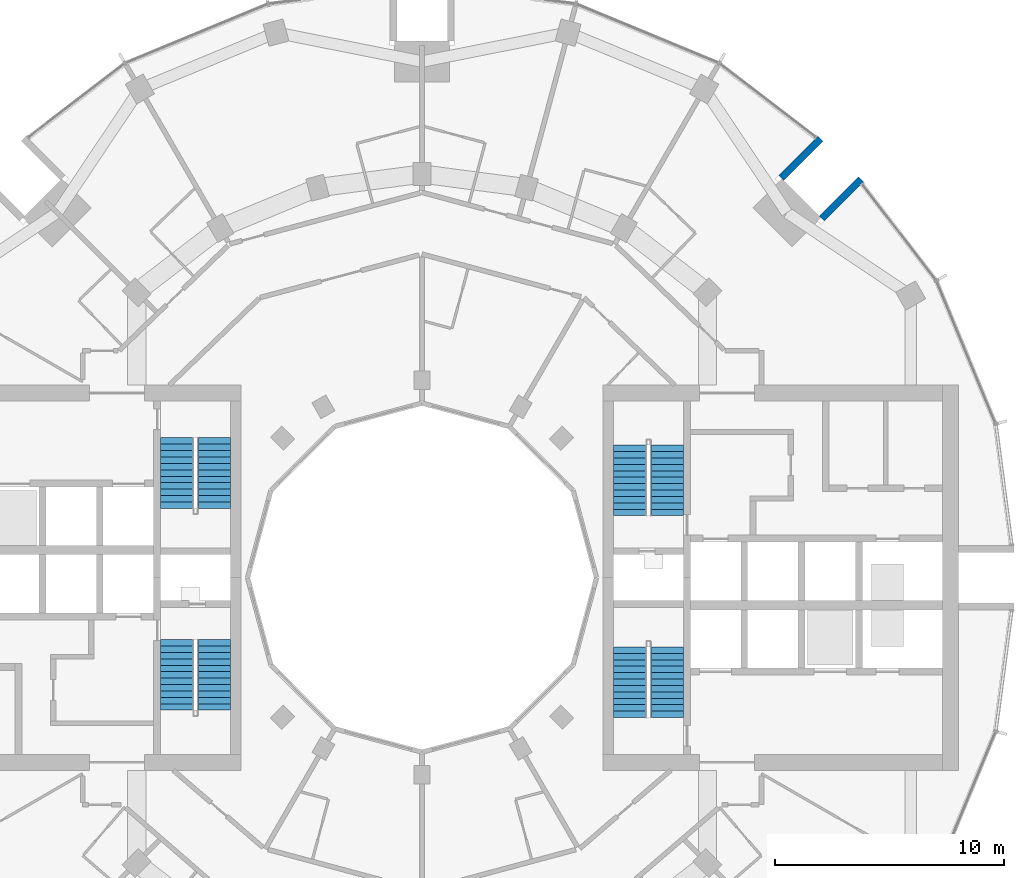
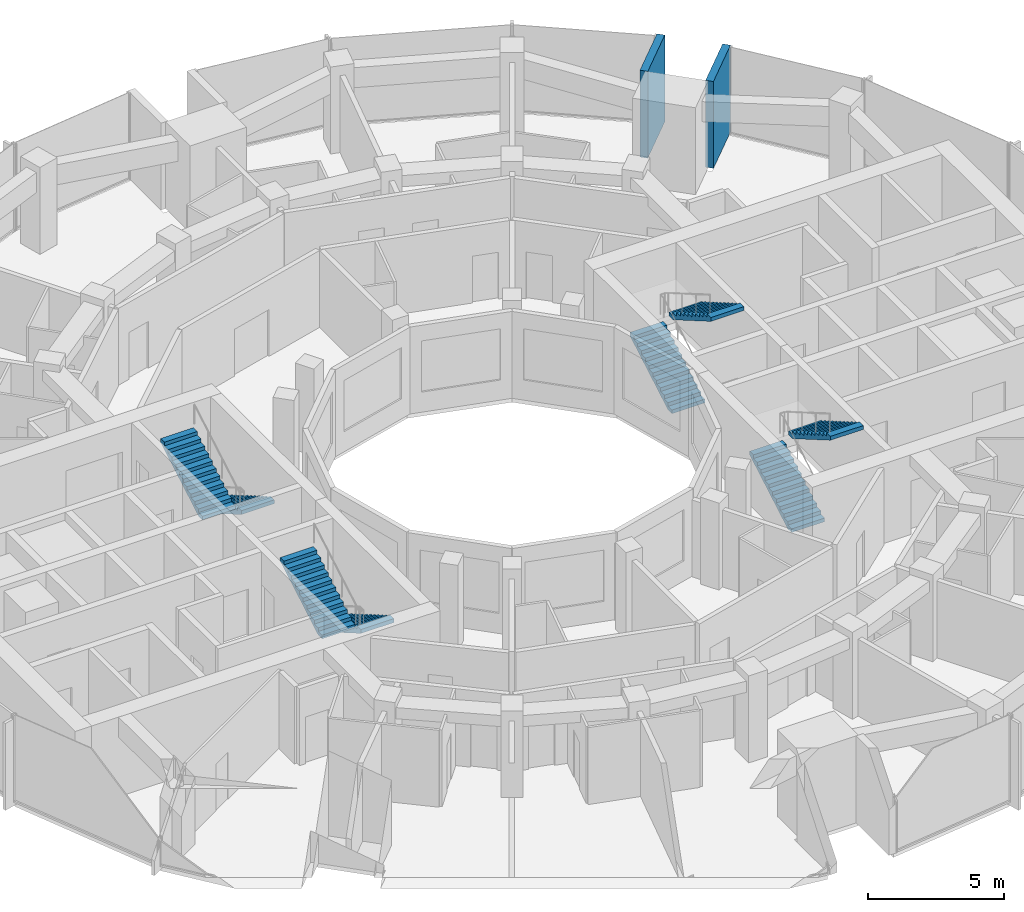
# One storey, part 13 of 15: 8 stair flights, 2 walls, 4 elements without a shape of their own.
"""IFC4 building model written with IfcOpenShell, lengths in metres."""

from ifc_helpers import new_model, si_unit, direction, frame, frame_2d, origin, place, context, subcontext, project, spatial, polyline, rectangle, outline, extrude, material, layer, layer_set, type_object, element, aggregate, save


model = new_model("IFC4")

# Units and contexts
model_context = context("Model", 3, precision=1e-05, world=origin(), true_north=direction((0.0, 1.0)))
body_context = subcontext(model_context, "Body", "Model", "MODEL_VIEW")
ifc_project = project(units=[si_unit("LENGTHUNIT", "METRE"), si_unit("AREAUNIT", "SQUARE_METRE"), si_unit("VOLUMEUNIT", "CUBIC_METRE"), si_unit("PLANEANGLEUNIT", "RADIAN"), si_unit("MASSUNIT", "GRAM", prefix="KILO")], contexts=[model_context])

# Site, building, storey
site_placement = place(None, origin())
site = spatial("IfcSite", under=ifc_project, at=site_placement, CompositionType="ELEMENT")
building_placement = place(site_placement, origin())
building = spatial("IfcBuilding", under=site, at=building_placement, Name="Torre Brocal", CompositionType="ELEMENT")
storey_placement = place(building_placement, frame((0.0, 0.0, 118.5)))
storey = spatial("IfcBuildingStorey", under=building, at=storey_placement, Name="L27", CompositionType="ELEMENT", Elevation=118.5)

# Walls
ifc_material_1 = material(Name="Concrete C70", Category="concrete")
ifc_layer_1 = layer(ifc_material_1, 0.300048828125)
ifc_layer_set_1 = layer_set([ifc_layer_1], Name="Concrete C70")
wall_type = type_object("IfcWallType", Name="NOTCH RETURN WALL 300 C70", PredefinedType="NOTDEFINED", material=ifc_layer_set_1)
for number, where, z_axis, x_axis, name in (
    (1, (97.43017578125, 90.662353515625, 0.0), (0.0, 0.0, 1.0), (0.707106781187, 0.707106781187, 0.0), "NOTCH RETURN WALL"),
    (2, (95.662353515625, 92.43017578125, 0.0), (0.0, 0.0, 1.0), (0.707106781187, 0.707106781187, 0.0), "NOTCH RETURN WALL"),
):
    element("IfcWall", number, at=place(storey_placement, frame(where, z_axis=z_axis, x_axis=x_axis)), inside=storey, type_object=wall_type, Name=name, PredefinedType="NOTDEFINED", context=body_context, shape_type="SweptSolid", body=[
        extrude(rectangle(XDim=2.415771484375, YDim=0.300048828125, at=frame_2d((1.2080078125, 0.0))), origin(), (0.0, 0.0, 1.0), 3.89990234375),
    ])

# Stair, stair flights
ifc_material_2 = material(Name="Concrete C50", Category="concrete")
stair_type = type_object("IfcStairType", Name="EXIT STAIR", PredefinedType="HALF_TURN_STAIR", material=ifc_material_2)
stair_1_placement = place(storey_placement, origin())
stair_1 = element("IfcStair", 3, at=stair_1_placement, inside=storey, type_object=stair_type, Name="EXIT STAIR ST1", PredefinedType="HALF_TURN_STAIR")
ifc_material_3 = material(Name="Concrete C50", Category="concrete")
ifc_layer_2 = layer(ifc_material_3, 0.14990234375)
ifc_layer_set_2 = layer_set([ifc_layer_2], Name="Concrete C50")
stair_flight_type = type_object("IfcStairFlightType", Name="STAIR FLIGHT", PredefinedType="STRAIGHT", material=ifc_layer_set_2)
stair_flight_1_placement = place(storey_placement, frame((89.050048828125, 77.699951171875, 0.0), z_axis=(0.0, 0.0, 1.0), x_axis=(0.0, 1.0, 0.0)))
stair_flight_1 = element("IfcStairFlight", 4, at=stair_flight_1_placement, type_object=stair_flight_type, Name="ST1 flight 1", NumberOfRisers=12, NumberOfTreads=11, PredefinedType="STRAIGHT", RiserHeight=0.1625, TreadLength=0.28, context=body_context, shape_type="SweptSolid", body=[
    extrude(outline(polyline([(0.0, 0.0), (0.0, 0.16259765625), (0.280029296875, 0.16259765625), (0.280029296875, 0.324951171875), (0.56005859375, 0.324951171875), (0.56005859375, 0.487548828125), (0.840087890625, 0.487548828125), (0.840087890625, 0.64990234375), (1.1201171875, 0.64990234375), (1.1201171875, 0.8125), (1.39990234375, 0.8125), (1.39990234375, 0.97509765625), (1.679931640625, 0.97509765625), (1.679931640625, 1.137451171875), (1.9599609375, 1.137451171875), (1.9599609375, 1.300048828125), (2.239990234375, 1.300048828125), (2.239990234375, 1.46240234375), (2.52001953125, 1.46240234375), (2.52001953125, 1.625), (2.800048828125, 1.625), (2.800048828125, 1.78759765625), (3.080078125, 1.78759765625), (3.080078125, 1.949951171875), (3.080078125, 1.6142578125), (0.298583984375, 0.0), (0.0, 0.0)])), frame((0.0, 0.699951171875, 0.0), z_axis=(0.0, -1.0, 0.0), x_axis=(1.0, 0.0, 0.0)), (0.0, 0.0, 1.0), 1.39990234375),
])
stair_flight_2_placement = place(storey_placement, frame((90.699951171875, 80.780029296875, 1.949951171875), z_axis=(0.0, 0.0, 1.0), x_axis=(0.0, -1.0, 0.0)))
stair_flight_2 = element("IfcStairFlight", 5, at=stair_flight_2_placement, type_object=stair_flight_type, Name="ST1 flight 2", NumberOfRisers=12, NumberOfTreads=11, PredefinedType="STRAIGHT", RiserHeight=0.1625, TreadLength=0.28, context=body_context, shape_type="SweptSolid", body=[
    extrude(outline(polyline([(0.0, 0.0), (0.0, 0.16259765625), (0.280029296875, 0.16259765625), (0.280029296875, 0.324951171875), (0.56005859375, 0.324951171875), (0.56005859375, 0.487548828125), (0.840087890625, 0.487548828125), (0.840087890625, 0.64990234375), (1.1201171875, 0.64990234375), (1.1201171875, 0.8125), (1.39990234375, 0.8125), (1.39990234375, 0.97509765625), (1.679931640625, 0.97509765625), (1.679931640625, 1.137451171875), (1.9599609375, 1.137451171875), (1.9599609375, 1.300048828125), (2.239990234375, 1.300048828125), (2.239990234375, 1.46240234375), (2.52001953125, 1.46240234375), (2.52001953125, 1.625), (2.800048828125, 1.625), (2.800048828125, 1.78759765625), (3.080078125, 1.78759765625), (3.080078125, 1.949951171875), (3.080078125, 1.6142578125), (0.298583984375, 0.0), (0.0, 0.0)])), frame((0.0, 0.699951171875, 0.0), z_axis=(0.0, -1.0, 0.0), x_axis=(1.0, 0.0, 0.0)), (0.0, 0.0, 1.0), 1.39990234375),
])
aggregate(stair_1, [stair_flight_1, stair_flight_2])

stair_2_placement = place(storey_placement, origin())
stair_2 = element("IfcStair", 6, at=stair_2_placement, inside=storey, type_object=stair_type, Name="EXIT STAIR ST2", PredefinedType="HALF_TURN_STAIR")
stair_flight_3_placement = place(storey_placement, frame((89.050048828125, 68.89990234375, 0.0), z_axis=(0.0, 0.0, 1.0), x_axis=(0.0, 1.0, 0.0)))
stair_flight_3 = element("IfcStairFlight", 7, at=stair_flight_3_placement, type_object=stair_flight_type, Name="ST2 flight 1", NumberOfRisers=12, NumberOfTreads=11, PredefinedType="STRAIGHT", RiserHeight=0.1625, TreadLength=0.28, context=body_context, shape_type="SweptSolid", body=[
    extrude(outline(polyline([(0.0, 0.0), (0.0, 0.16259765625), (0.280029296875, 0.16259765625), (0.280029296875, 0.324951171875), (0.56005859375, 0.324951171875), (0.56005859375, 0.487548828125), (0.840087890625, 0.487548828125), (0.840087890625, 0.64990234375), (1.1201171875, 0.64990234375), (1.1201171875, 0.8125), (1.39990234375, 0.8125), (1.39990234375, 0.97509765625), (1.679931640625, 0.97509765625), (1.679931640625, 1.137451171875), (1.9599609375, 1.137451171875), (1.9599609375, 1.300048828125), (2.239990234375, 1.300048828125), (2.239990234375, 1.46240234375), (2.52001953125, 1.46240234375), (2.52001953125, 1.625), (2.800048828125, 1.625), (2.800048828125, 1.78759765625), (3.080078125, 1.78759765625), (3.080078125, 1.949951171875), (3.080078125, 1.6142578125), (0.298583984375, 0.0), (0.0, 0.0)])), frame((0.0, 0.699951171875, 0.0), z_axis=(0.0, -1.0, 0.0), x_axis=(1.0, 0.0, 0.0)), (0.0, 0.0, 1.0), 1.39990234375),
])
stair_flight_4_placement = place(storey_placement, frame((90.699951171875, 71.97998046875, 1.949951171875), z_axis=(0.0, 0.0, 1.0), x_axis=(0.0, -1.0, 0.0)))
stair_flight_4 = element("IfcStairFlight", 8, at=stair_flight_4_placement, type_object=stair_flight_type, Name="ST2 flight 2", NumberOfRisers=12, NumberOfTreads=11, PredefinedType="STRAIGHT", RiserHeight=0.1625, TreadLength=0.28, context=body_context, shape_type="SweptSolid", body=[
    extrude(outline(polyline([(0.0, 0.0), (0.0, 0.16259765625), (0.280029296875, 0.16259765625), (0.280029296875, 0.324951171875), (0.56005859375, 0.324951171875), (0.56005859375, 0.487548828125), (0.840087890625, 0.487548828125), (0.840087890625, 0.64990234375), (1.1201171875, 0.64990234375), (1.1201171875, 0.8125), (1.39990234375, 0.8125), (1.39990234375, 0.97509765625), (1.679931640625, 0.97509765625), (1.679931640625, 1.137451171875), (1.9599609375, 1.137451171875), (1.9599609375, 1.300048828125), (2.239990234375, 1.300048828125), (2.239990234375, 1.46240234375), (2.52001953125, 1.46240234375), (2.52001953125, 1.625), (2.800048828125, 1.625), (2.800048828125, 1.78759765625), (3.080078125, 1.78759765625), (3.080078125, 1.949951171875), (3.080078125, 1.6142578125), (0.298583984375, 0.0), (0.0, 0.0)])), frame((0.0, 0.699951171875, 0.0), z_axis=(0.0, -1.0, 0.0), x_axis=(1.0, 0.0, 0.0)), (0.0, 0.0, 1.0), 1.39990234375),
])
aggregate(stair_2, [stair_flight_3, stair_flight_4])

stair_3_placement = place(storey_placement, origin())
stair_3 = element("IfcStair", 9, at=stair_3_placement, inside=storey, type_object=stair_type, Name="EXIT STAIR ST3", PredefinedType="HALF_TURN_STAIR")
stair_flight_5_placement = place(storey_placement, frame((70.949951171875, 72.300048828125, 0.0), z_axis=(0.0, 0.0, 1.0), x_axis=(0.0, -1.0, 0.0)))
stair_flight_5 = element("IfcStairFlight", 10, at=stair_flight_5_placement, type_object=stair_flight_type, Name="ST3 flight 1", NumberOfRisers=12, NumberOfTreads=11, PredefinedType="STRAIGHT", RiserHeight=0.1625, TreadLength=0.28, context=body_context, shape_type="SweptSolid", body=[
    extrude(outline(polyline([(0.0, 0.0), (0.0, 0.16259765625), (0.280029296875, 0.16259765625), (0.280029296875, 0.324951171875), (0.56005859375, 0.324951171875), (0.56005859375, 0.487548828125), (0.840087890625, 0.487548828125), (0.840087890625, 0.64990234375), (1.1201171875, 0.64990234375), (1.1201171875, 0.8125), (1.39990234375, 0.8125), (1.39990234375, 0.97509765625), (1.679931640625, 0.97509765625), (1.679931640625, 1.137451171875), (1.9599609375, 1.137451171875), (1.9599609375, 1.300048828125), (2.239990234375, 1.300048828125), (2.239990234375, 1.46240234375), (2.52001953125, 1.46240234375), (2.52001953125, 1.625), (2.800048828125, 1.625), (2.800048828125, 1.78759765625), (3.080078125, 1.78759765625), (3.080078125, 1.949951171875), (3.080078125, 1.6142578125), (0.298583984375, 0.0), (0.0, 0.0)])), frame((0.0, 0.699951171875, 0.0), z_axis=(0.0, -1.0, 0.0), x_axis=(1.0, 0.0, 0.0)), (0.0, 0.0, 1.0), 1.39990234375),
])
stair_flight_6_placement = place(storey_placement, frame((69.300048828125, 69.219970703125, 1.949951171875), z_axis=(0.0, 0.0, 1.0), x_axis=(0.0, 1.0, 0.0)))
stair_flight_6 = element("IfcStairFlight", 11, at=stair_flight_6_placement, type_object=stair_flight_type, Name="ST3 flight 2", NumberOfRisers=12, NumberOfTreads=11, PredefinedType="STRAIGHT", RiserHeight=0.1625, TreadLength=0.28, context=body_context, shape_type="SweptSolid", body=[
    extrude(outline(polyline([(0.0, 0.0), (0.0, 0.16259765625), (0.280029296875, 0.16259765625), (0.280029296875, 0.324951171875), (0.56005859375, 0.324951171875), (0.56005859375, 0.487548828125), (0.840087890625, 0.487548828125), (0.840087890625, 0.64990234375), (1.1201171875, 0.64990234375), (1.1201171875, 0.8125), (1.39990234375, 0.8125), (1.39990234375, 0.97509765625), (1.679931640625, 0.97509765625), (1.679931640625, 1.137451171875), (1.9599609375, 1.137451171875), (1.9599609375, 1.300048828125), (2.239990234375, 1.300048828125), (2.239990234375, 1.46240234375), (2.52001953125, 1.46240234375), (2.52001953125, 1.625), (2.800048828125, 1.625), (2.800048828125, 1.78759765625), (3.080078125, 1.78759765625), (3.080078125, 1.949951171875), (3.080078125, 1.6142578125), (0.298583984375, 0.0), (0.0, 0.0)])), frame((0.0, 0.699951171875, 0.0), z_axis=(0.0, -1.0, 0.0), x_axis=(1.0, 0.0, 0.0)), (0.0, 0.0, 1.0), 1.39990234375),
])
aggregate(stair_3, [stair_flight_5, stair_flight_6])

stair_4_placement = place(storey_placement, origin())
stair_4 = element("IfcStair", 12, at=stair_4_placement, inside=storey, type_object=stair_type, Name="EXIT STAIR ST4", PredefinedType="HALF_TURN_STAIR")
stair_flight_7_placement = place(storey_placement, frame((70.949951171875, 81.10009765625, 0.0), z_axis=(0.0, 0.0, 1.0), x_axis=(0.0, -1.0, 0.0)))
stair_flight_7 = element("IfcStairFlight", 13, at=stair_flight_7_placement, type_object=stair_flight_type, Name="ST4 flight 1", NumberOfRisers=12, NumberOfTreads=11, PredefinedType="STRAIGHT", RiserHeight=0.1625, TreadLength=0.28, context=body_context, shape_type="SweptSolid", body=[
    extrude(outline(polyline([(0.0, 0.0), (0.0, 0.16259765625), (0.280029296875, 0.16259765625), (0.280029296875, 0.324951171875), (0.56005859375, 0.324951171875), (0.56005859375, 0.487548828125), (0.840087890625, 0.487548828125), (0.840087890625, 0.64990234375), (1.1201171875, 0.64990234375), (1.1201171875, 0.8125), (1.39990234375, 0.8125), (1.39990234375, 0.97509765625), (1.679931640625, 0.97509765625), (1.679931640625, 1.137451171875), (1.9599609375, 1.137451171875), (1.9599609375, 1.300048828125), (2.239990234375, 1.300048828125), (2.239990234375, 1.46240234375), (2.52001953125, 1.46240234375), (2.52001953125, 1.625), (2.800048828125, 1.625), (2.800048828125, 1.78759765625), (3.080078125, 1.78759765625), (3.080078125, 1.949951171875), (3.080078125, 1.6142578125), (0.298583984375, 0.0), (0.0, 0.0)])), frame((0.0, 0.699951171875, 0.0), z_axis=(0.0, -1.0, 0.0), x_axis=(1.0, 0.0, 0.0)), (0.0, 0.0, 1.0), 1.39990234375),
])
stair_flight_8_placement = place(storey_placement, frame((69.300048828125, 78.02001953125, 1.949951171875), z_axis=(0.0, 0.0, 1.0), x_axis=(0.0, 1.0, 0.0)))
stair_flight_8 = element("IfcStairFlight", 14, at=stair_flight_8_placement, type_object=stair_flight_type, Name="ST4 flight 2", NumberOfRisers=12, NumberOfTreads=11, PredefinedType="STRAIGHT", RiserHeight=0.1625, TreadLength=0.28, context=body_context, shape_type="SweptSolid", body=[
    extrude(outline(polyline([(0.0, 0.0), (0.0, 0.16259765625), (0.280029296875, 0.16259765625), (0.280029296875, 0.324951171875), (0.56005859375, 0.324951171875), (0.56005859375, 0.487548828125), (0.840087890625, 0.487548828125), (0.840087890625, 0.64990234375), (1.1201171875, 0.64990234375), (1.1201171875, 0.8125), (1.39990234375, 0.8125), (1.39990234375, 0.97509765625), (1.679931640625, 0.97509765625), (1.679931640625, 1.137451171875), (1.9599609375, 1.137451171875), (1.9599609375, 1.300048828125), (2.239990234375, 1.300048828125), (2.239990234375, 1.46240234375), (2.52001953125, 1.46240234375), (2.52001953125, 1.625), (2.800048828125, 1.625), (2.800048828125, 1.78759765625), (3.080078125, 1.78759765625), (3.080078125, 1.949951171875), (3.080078125, 1.6142578125), (0.298583984375, 0.0), (0.0, 0.0)])), frame((0.0, 0.699951171875, 0.0), z_axis=(0.0, -1.0, 0.0), x_axis=(1.0, 0.0, 0.0)), (0.0, 0.0, 1.0), 1.39990234375),
])
aggregate(stair_4, [stair_flight_7, stair_flight_8])

save(model, "model.ifc")
